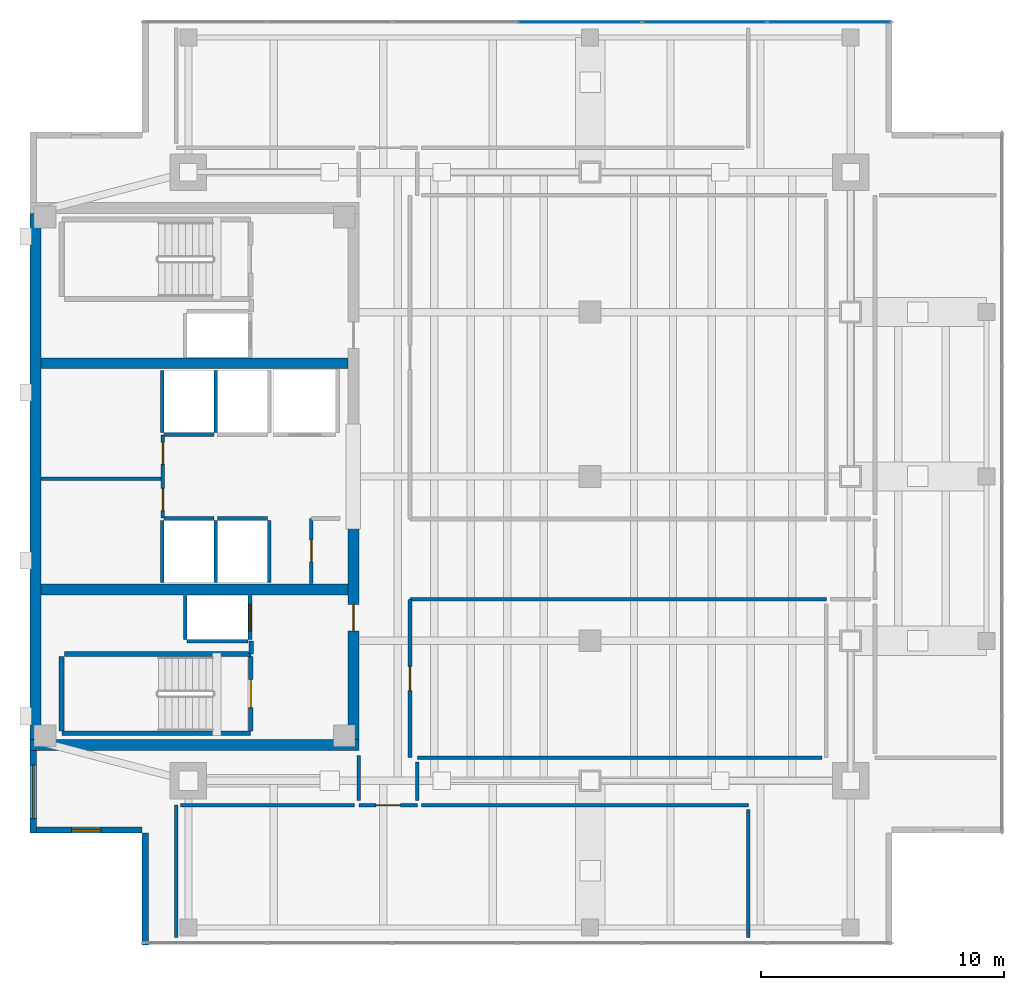
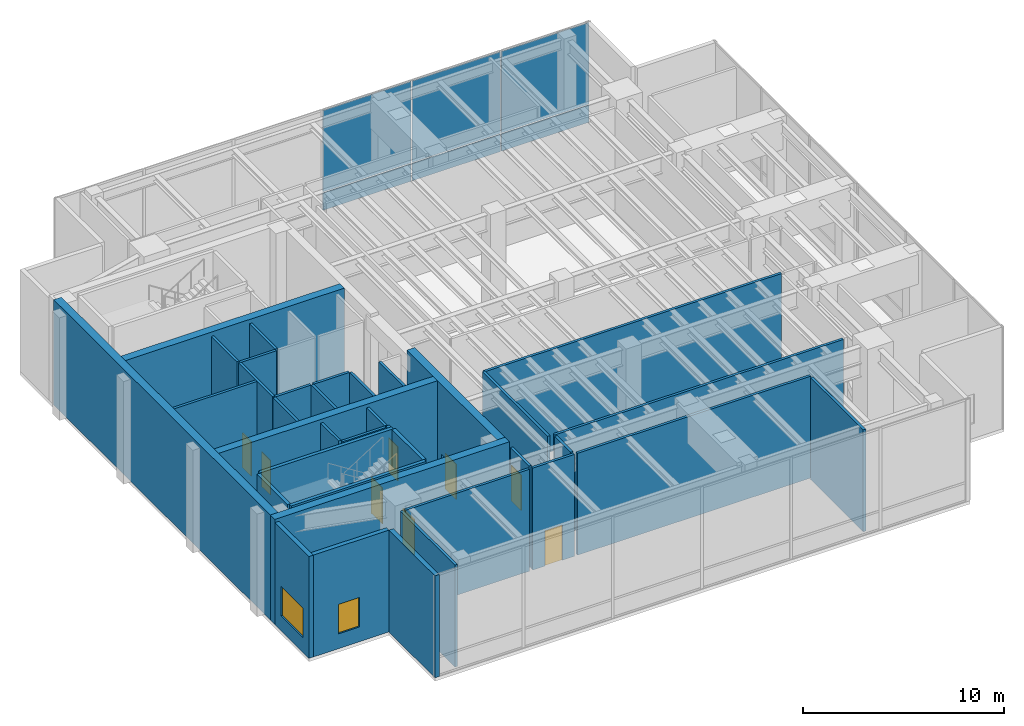
# One storey, part 8 of 11: 37 walls, 8 doors, 6 plates, 2 windows, 10 openings, 1 element without a shape of its own.
"""IFC4 building model written with IfcOpenShell, lengths in metres."""

from ifc_helpers import new_model, si_unit, direction, frame, frame_2d, origin, origin_2d, place, context, subcontext, project, spatial, rectangle, extrude, material, layer, layer_set, type_object, element, fill, aggregate, save


model = new_model("IFC4")

# Units and contexts
model_context = context("Model", 3, precision=1e-05, world=origin(), true_north=direction((0.0, 1.0)))
body_context = subcontext(model_context, "Body", "Model", "MODEL_VIEW")
ifc_project = project(units=[si_unit("LENGTHUNIT", "METRE"), si_unit("AREAUNIT", "SQUARE_METRE"), si_unit("VOLUMEUNIT", "CUBIC_METRE"), si_unit("PLANEANGLEUNIT", "RADIAN"), si_unit("MASSUNIT", "GRAM", prefix="KILO")], contexts=[model_context])

# Site, building, storey
site_placement = place(None, origin())
site = spatial("IfcSite", under=ifc_project, at=site_placement, CompositionType="ELEMENT")
building_placement = place(site_placement, origin())
building = spatial("IfcBuilding", under=site, at=building_placement, Name="Kinhvarn Gate Tower", CompositionType="ELEMENT")
storey_placement = place(building_placement, frame((0.0, 0.0, 296.64990234375)))
storey = spatial("IfcBuildingStorey", under=building, at=storey_placement, Name="L79", CompositionType="ELEMENT", Elevation=296.64990234375)

# Curtain wall, plates
ifc_material_1 = material(Name="Anodised aluminium AW-6063", Category="aluminium")
ifc_layer_1 = layer(ifc_material_1, 0.199951171875)
ifc_layer_set_1 = layer_set([ifc_layer_1], Name="Anodised aluminium AW-6063")
curtain_wall_type = type_object("IfcCurtainWallType", Name="CW-SYS-6", PredefinedType="NOTDEFINED", material=ifc_layer_set_1)
curtain_wall_placement = place(storey_placement, origin())
curtain_wall = element("IfcCurtainWall", 1, at=curtain_wall_placement, inside=storey, type_object=curtain_wall_type, Name="Curtain Wall CW6 (L79)", PredefinedType="NOTDEFINED")
ifc_material_2 = material(Name="Translucent lantern laminated glazing", Category="glass")
ifc_layer_2 = layer(ifc_material_2, 0.035888671875)
ifc_layer_set_2 = layer_set([ifc_layer_2], Name="Translucent lantern laminated glazing")
plate_type = type_object("IfcPlateType", Name="CW-PNL-LAN", PredefinedType="CURTAIN_PANEL", material=ifc_layer_set_2)
plate_1_placement = place(storey_placement, frame((37.317138671875, 43.909912109375, 0.06494140625), z_axis=(0.0, 0.0, 1.0), x_axis=(-1.0, 0.0, 0.0)))
plate_1 = element("IfcPlate", 2, at=plate_1_placement, type_object=plate_type, Name="CW6 panel 1.1", PredefinedType="CURTAIN_PANEL", context=body_context, shape_type="SweptSolid", body=[
    extrude(rectangle(XDim=5.035888671875, YDim=0.035888671875, at=origin_2d()), origin(), (0.0, 0.0, 1.0), 1.052490234375),
])
plate_2_placement = place(storey_placement, frame((37.317138671875, 43.909912109375, 1.1826171875), z_axis=(0.0, 0.0, 1.0), x_axis=(-1.0, 0.0, 0.0)))
plate_2 = element("IfcPlate", 3, at=plate_2_placement, type_object=plate_type, Name="CW6 panel 1.2", PredefinedType="CURTAIN_PANEL", context=body_context, shape_type="SweptSolid", body=[
    extrude(rectangle(XDim=5.035888671875, YDim=0.035888671875, at=origin_2d()), origin(), (0.0, 0.0, 1.0), 4.952392578125),
])
plate_3_placement = place(storey_placement, frame((32.199951171875, 43.909912109375, 0.06494140625), z_axis=(0.0, 0.0, 1.0), x_axis=(-1.0, 0.0, 0.0)))
plate_3 = element("IfcPlate", 4, at=plate_3_placement, type_object=plate_type, Name="CW6 panel 2.1", PredefinedType="CURTAIN_PANEL", context=body_context, shape_type="SweptSolid", body=[
    extrude(rectangle(XDim=5.068359375, YDim=0.035888671875, at=origin_2d()), origin(), (0.0, 0.0, 1.0), 1.052490234375),
])
plate_4_placement = place(storey_placement, frame((32.199951171875, 43.909912109375, 1.1826171875), z_axis=(0.0, 0.0, 1.0), x_axis=(-1.0, 0.0, 0.0)))
plate_4 = element("IfcPlate", 5, at=plate_4_placement, type_object=plate_type, Name="CW6 panel 2.2", PredefinedType="CURTAIN_PANEL", context=body_context, shape_type="SweptSolid", body=[
    extrude(rectangle(XDim=5.068359375, YDim=0.035888671875, at=origin_2d()), origin(), (0.0, 0.0, 1.0), 4.952392578125),
])
plate_5_placement = place(storey_placement, frame((27.066650390625, 43.909912109375, 0.06494140625), z_axis=(0.0, 0.0, 1.0), x_axis=(-1.0, 0.0, 0.0)))
plate_5 = element("IfcPlate", 6, at=plate_5_placement, type_object=plate_type, Name="CW6 panel 3.1", PredefinedType="CURTAIN_PANEL", context=body_context, shape_type="SweptSolid", body=[
    extrude(rectangle(XDim=5.068359375, YDim=0.035888671875, at=origin_2d()), origin(), (0.0, 0.0, 1.0), 1.052490234375),
])
plate_6_placement = place(storey_placement, frame((27.066650390625, 43.909912109375, 1.1826171875), z_axis=(0.0, 0.0, 1.0), x_axis=(-1.0, 0.0, 0.0)))
plate_6 = element("IfcPlate", 7, at=plate_6_placement, type_object=plate_type, Name="CW6 panel 3.2", PredefinedType="CURTAIN_PANEL", context=body_context, shape_type="SweptSolid", body=[
    extrude(rectangle(XDim=5.068359375, YDim=0.035888671875, at=origin_2d()), origin(), (0.0, 0.0, 1.0), 4.952392578125),
])
aggregate(curtain_wall, [plate_1, plate_2, plate_3, plate_4, plate_5, plate_6])

# Wall
ifc_material_3 = material(Name="Concrete C50/60", Category="concrete")
ifc_layer_3 = layer(ifc_material_3, 0.449951171875)
ifc_layer_set_3 = layer_set([ifc_layer_3], Name="Concrete C50/60")
wall_type_1 = type_object("IfcWallType", Name="WL-CORE-450", PredefinedType="SHEAR", material=ifc_layer_set_3)
wall_1_placement = place(storey_placement, frame((4.5, 14.22509765625, 0.0), z_axis=(0.0, 0.0, 1.0), x_axis=(1.0, 0.0, 0.0)))
element("IfcWall", 8, at=wall_1_placement, inside=storey, type_object=wall_type_1, Name="Core South Shear Wall L79 450 mm", PredefinedType="SHEAR", context=body_context, shape_type="SweptSolid", body=[
    extrude(rectangle(XDim=13.5, YDim=0.449951171875, at=frame_2d((6.75, 0.0))), origin(), (0.0, 0.0, 1.0), 6.400146484375),
])

# Wall, opening, door
wall_2_placement = place(storey_placement, frame((17.77490234375, 14.449951171875, 0.0), z_axis=(0.0, 0.0, 1.0), x_axis=(0.0, 1.0, 0.0)))
wall_2 = element("IfcWall", 9, at=wall_2_placement, inside=storey, type_object=wall_type_1, Name="Core East-South Shear Pier L79 450 mm", PredefinedType="SHEAR", context=body_context, shape_type="SweptSolid", body=[
    extrude(rectangle(XDim=9.0, YDim=0.449951171875, at=frame_2d((4.5, 0.0))), origin(), (0.0, 0.0, 1.0), 6.400146484375),
])
opening_1_placement = place(wall_2_placement, frame((4.449951171875, 0.0, 0.0)))
opening_1 = element("IfcOpeningElement", 10, at=opening_1_placement, cuts=wall_2, Name="Opening FD-02", PredefinedType="OPENING", context=body_context, shape_type="SweptSolid", body=[
    extrude(rectangle(XDim=1.10009765625, YDim=2.14990234375, at=frame_2d((0.550048828125, 1.074951171875))), frame((0.0, 0.23486328125, 0.0), z_axis=(0.0, -1.0, 0.0), x_axis=(1.0, 0.0, 0.0)), (0.0, 0.0, 1.0), 0.469970703125),
])
door_type_1 = type_object("IfcDoorType", Name="DR-FD-1100", OperationType="NOTDEFINED", PredefinedType="DOOR", material=ifc_material_1)
door_1_placement = place(opening_1_placement, origin())
door_1 = element("IfcDoor", 11, at=door_1_placement, inside=storey, type_object=door_type_1, Name="Firefighting Lobby Core Door (L79)", OperationType="SINGLE_SWING_RIGHT", OverallHeight=2.14990234375, OverallWidth=1.10009765625, PredefinedType="DOOR", context=body_context, shape_type="SweptSolid", body=[
    extrude(rectangle(XDim=1.10009765625, YDim=2.14990234375, at=frame_2d((0.550048828125, 1.074951171875))), frame((0.0, 0.02490234375, 0.0), z_axis=(0.0, -1.0, 0.0), x_axis=(1.0, 0.0, 0.0)), (0.0, 0.0, 1.0), 0.050048828125),
])
fill(opening_1, door_1)

# Walls
for number, where, z_axis, x_axis, name in (
    (12, (4.949951171875, 20.60009765625, 0.0), (0.0, 0.0, 1.0), (1.0, 0.0, 0.0), "Core South Spine Shear Wall L79 450 mm"),
    (13, (4.949951171875, 29.89990234375, 0.0), (0.0, 0.0, 1.0), (1.0, 0.0, 0.0), "Core North Spine Shear Wall L79 450 mm"),
):
    element("IfcWall", number, at=place(storey_placement, frame(where, z_axis=z_axis, x_axis=x_axis)), inside=storey, type_object=wall_type_1, Name=name, PredefinedType="SHEAR", context=body_context, shape_type="SweptSolid", body=[
        extrude(rectangle(XDim=12.60009765625, YDim=0.449951171875, at=frame_2d((6.300048828125, 0.0))), origin(), (0.0, 0.0, 1.0), 6.400146484375),
    ])
ifc_layer_4 = layer(ifc_material_3, 0.449951171875)
ifc_layer_set_4 = layer_set([ifc_layer_4], Name="Concrete C50/60")
wall_type_2 = type_object("IfcWallType", Name="WL-COREX-450", PredefinedType="SHEAR", material=ifc_layer_set_4)
wall_3_placement = place(storey_placement, frame((4.72509765625, 14.449951171875, 0.0), z_axis=(0.0, 0.0, 1.0), x_axis=(0.0, 1.0, 0.0)))
element("IfcWall", 14, at=wall_3_placement, inside=storey, type_object=wall_type_2, Name="Core West Shear Wall L79 450 mm", PredefinedType="SHEAR", context=body_context, shape_type="SweptSolid", body=[
    extrude(rectangle(XDim=21.60009765625, YDim=0.449951171875, at=frame_2d((10.800048828125, 0.0))), origin(), (0.0, 0.0, 1.0), 6.400146484375),
])

# Wall, opening, window
ifc_material_4 = material(Name="Fired architectural terracotta", Category="masonry")
ifc_layer_5 = layer(ifc_material_4, 0.25)
ifc_layer_set_5 = layer_set([ifc_layer_5], Name="Fired architectural terracotta")
wall_type_3 = type_object("IfcWallType", Name="WL-EXT-250", PredefinedType="SOLIDWALL", material=ifc_layer_set_5)
wall_4_placement = place(storey_placement, frame((4.625, 14.0, 0.0), z_axis=(0.0, 0.0, 1.0), x_axis=(0.0, -1.0, 0.0)))
wall_4 = element("IfcWall", 15, at=wall_4_placement, inside=storey, type_object=wall_type_3, Name="Exterior Solidwall Wall EW-250 (L79 West-South)", PredefinedType="SOLIDWALL", context=body_context, shape_type="SweptSolid", body=[
    extrude(rectangle(XDim=3.39990234375, YDim=0.25, at=frame_2d((1.699951171875, 0.0))), origin(), (0.0, 0.0, 1.0), 6.2001953125),
])
opening_2_placement = place(wall_4_placement, frame((0.60009765625, 0.0, 0.89990234375)))
opening_2 = element("IfcOpeningElement", 16, at=opening_2_placement, cuts=wall_4, Name="Opening WN-01", PredefinedType="OPENING", context=body_context, shape_type="SweptSolid", body=[
    extrude(rectangle(XDim=2.199951171875, YDim=1.800048828125, at=frame_2d((1.10009765625, 0.89990234375))), frame((0.0, 0.135009765625, 0.0), z_axis=(0.0, -1.0, 0.0), x_axis=(1.0, 0.0, 0.0)), (0.0, 0.0, 1.0), 0.27001953125),
])
ifc_material_5 = material(Name="Clear low-e double glazing", Category="glass")
window_type_1 = type_object("IfcWindowType", Name="WIN-RIB-2200", PartitioningType="SINGLE_PANEL", PredefinedType="WINDOW", material=ifc_material_5)
window_1_placement = place(opening_2_placement, origin())
window_1 = element("IfcWindow", 17, at=window_1_placement, inside=storey, type_object=window_type_1, Name="West Flank Double-Glazed Ribbon Window 2200x1800 mm (L79)", OverallHeight=1.800048828125, OverallWidth=2.199951171875, PartitioningType="SINGLE_PANEL", PredefinedType="WINDOW", context=body_context, shape_type="SweptSolid", body=[
    extrude(rectangle(XDim=2.199951171875, YDim=1.800048828125, at=frame_2d((1.10009765625, 0.89990234375))), frame((0.0, 0.030029296875, 0.0), z_axis=(0.0, -1.0, 0.0), x_axis=(1.0, 0.0, 0.0)), (0.0, 0.0, 1.0), 0.06005859375),
])
fill(opening_2, window_1)

wall_5_placement = place(storey_placement, frame((4.5, 10.72509765625, 0.0), z_axis=(0.0, 0.0, 1.0), x_axis=(1.0, 0.0, 0.0)))
wall_5 = element("IfcWall", 18, at=wall_5_placement, inside=storey, type_object=wall_type_3, Name="Exterior Solidwall Wall EW-250 (L79 SW-Notch-1)", PredefinedType="SOLIDWALL", context=body_context, shape_type="SweptSolid", body=[
    extrude(rectangle(XDim=4.60009765625, YDim=0.25, at=frame_2d((2.300048828125, 0.0))), origin(), (0.0, 0.0, 1.0), 6.2001953125),
])
opening_3_placement = place(wall_5_placement, frame((1.699951171875, 0.0, 0.89990234375)))
opening_3 = element("IfcOpeningElement", 19, at=opening_3_placement, cuts=wall_5, Name="Opening WN-02", PredefinedType="OPENING", context=body_context, shape_type="SweptSolid", body=[
    extrude(rectangle(XDim=1.199951171875, YDim=1.800048828125, at=frame_2d((0.60009765625, 0.89990234375))), frame((0.0, 0.135009765625, 0.0), z_axis=(0.0, -1.0, 0.0), x_axis=(1.0, 0.0, 0.0)), (0.0, 0.0, 1.0), 0.27001953125),
])
window_type_2 = type_object("IfcWindowType", Name="WIN-NTC-1200", PartitioningType="SINGLE_PANEL", PredefinedType="WINDOW", material=ifc_material_5)
window_2_placement = place(opening_3_placement, origin())
window_2 = element("IfcWindow", 20, at=window_2_placement, inside=storey, type_object=window_type_2, Name="Recessed Corner Notch Punched Window 1200x1800 mm (L79)", OverallHeight=1.800048828125, OverallWidth=1.199951171875, PartitioningType="SINGLE_PANEL", PredefinedType="WINDOW", context=body_context, shape_type="SweptSolid", body=[
    extrude(rectangle(XDim=1.199951171875, YDim=1.800048828125, at=frame_2d((0.60009765625, 0.89990234375))), frame((0.0, 0.030029296875, 0.0), z_axis=(0.0, -1.0, 0.0), x_axis=(1.0, 0.0, 0.0)), (0.0, 0.0, 1.0), 0.06005859375),
])
fill(opening_3, window_2)

# Walls
wall_6_placement = place(storey_placement, frame((9.22509765625, 10.60009765625, 0.0), z_axis=(0.0, 0.0, 1.0), x_axis=(0.0, -1.0, 0.0)))
element("IfcWall", 21, at=wall_6_placement, inside=storey, type_object=wall_type_3, Name="Exterior Solidwall Wall EW-250 (L79 SW-Notch-2)", PredefinedType="SOLIDWALL", context=body_context, shape_type="SweptSolid", body=[
    extrude(rectangle(XDim=4.60009765625, YDim=0.25, at=frame_2d((2.300048828125, 0.0))), origin(), (0.0, 0.0, 1.0), 6.2001953125),
])
ifc_material_6 = material(Name="Gypsum acoustic partition board")
ifc_layer_6 = layer(ifc_material_6, 0.14990234375)
ifc_layer_set_6 = layer_set([ifc_layer_6], Name="Gypsum acoustic partition board")
wall_type_4 = type_object("IfcWallType", Name="WL-PRT-150F", PredefinedType="PARTITIONING", material=ifc_layer_set_6)
wall_7_placement = place(storey_placement, frame((4.949951171875, 25.14990234375, 0.0), z_axis=(0.0, 0.0, 1.0), x_axis=(1.0, 0.0, 0.0)))
element("IfcWall", 22, at=wall_7_placement, inside=storey, type_object=wall_type_4, Name="Interior Partition PW-150F (L79)", PredefinedType="PARTITIONING", context=body_context, shape_type="SweptSolid", body=[
    extrude(rectangle(XDim=5.0, YDim=0.14990234375, at=frame_2d((2.5, 0.0))), origin(), (0.0, 0.0, 1.0), 6.2001953125),
])

# Wall, openings, doors
wall_8_placement = place(storey_placement, frame((9.949951171875, 23.550048828125, 0.0), z_axis=(0.0, 0.0, 1.0), x_axis=(0.0, 1.0, 0.0)))
wall_8 = element("IfcWall", 23, at=wall_8_placement, inside=storey, type_object=wall_type_4, Name="Interior Partition PW-150F (L79)", PredefinedType="PARTITIONING", context=body_context, shape_type="SweptSolid", body=[
    extrude(rectangle(XDim=3.39990234375, YDim=0.14990234375, at=frame_2d((1.699951171875, 0.0))), origin(), (0.0, 0.0, 1.0), 6.2001953125),
])
opening_4_placement = place(wall_8_placement, frame((0.298095703125, 0.0, 0.0)))
opening_4 = element("IfcOpeningElement", 24, at=opening_4_placement, cuts=wall_8, Name="Opening FD-04", PredefinedType="OPENING", context=body_context, shape_type="SweptSolid", body=[
    extrude(rectangle(XDim=0.89990234375, YDim=2.10009765625, at=frame_2d((0.449951171875, 1.050048828125))), frame((0.0, 0.0849609375, 0.0), z_axis=(0.0, -1.0, 0.0), x_axis=(1.0, 0.0, 0.0)), (0.0, 0.0, 1.0), 0.169921875),
])
opening_5_placement = place(wall_8_placement, frame((2.201904296875, 0.0, 0.0)))
opening_5 = element("IfcOpeningElement", 25, at=opening_5_placement, cuts=wall_8, Name="Opening FD-04", PredefinedType="OPENING", context=body_context, shape_type="SweptSolid", body=[
    extrude(rectangle(XDim=0.89990234375, YDim=2.10009765625, at=frame_2d((0.449951171875, 1.050048828125))), frame((0.0, 0.0849609375, 0.0), z_axis=(0.0, -1.0, 0.0), x_axis=(1.0, 0.0, 0.0)), (0.0, 0.0, 1.0), 0.169921875),
])
door_type_2 = type_object("IfcDoorType", Name="DR-FD-900", OperationType="NOTDEFINED", PredefinedType="DOOR", material=ifc_material_1)
door_2_placement = place(opening_4_placement, origin())
door_2 = element("IfcDoor", 26, at=door_2_placement, inside=storey, type_object=door_type_2, Name="Rated Riser & Service Closet Fire Door 900x2100 mm (L79)", OperationType="SINGLE_SWING_LEFT", OverallHeight=2.10009765625, OverallWidth=0.89990234375, PredefinedType="DOOR", context=body_context, shape_type="SweptSolid", body=[
    extrude(rectangle(XDim=0.89990234375, YDim=2.10009765625, at=frame_2d((0.449951171875, 1.050048828125))), frame((0.0, 0.02490234375, 0.0), z_axis=(0.0, -1.0, 0.0), x_axis=(1.0, 0.0, 0.0)), (0.0, 0.0, 1.0), 0.050048828125),
])
fill(opening_4, door_2)
door_3_placement = place(opening_5_placement, origin())
door_3 = element("IfcDoor", 27, at=door_3_placement, inside=storey, type_object=door_type_2, Name="Rated Riser & Service Closet Fire Door 900x2100 mm (L79)", OperationType="SINGLE_SWING_RIGHT", OverallHeight=2.10009765625, OverallWidth=0.89990234375, PredefinedType="DOOR", context=body_context, shape_type="SweptSolid", body=[
    extrude(rectangle(XDim=0.89990234375, YDim=2.10009765625, at=frame_2d((0.449951171875, 1.050048828125))), frame((0.0, 0.02490234375, 0.0), z_axis=(0.0, -1.0, 0.0), x_axis=(1.0, 0.0, 0.0)), (0.0, 0.0, 1.0), 0.050048828125),
])
fill(opening_5, door_3)

# Wall, opening, door
wall_9_placement = place(storey_placement, frame((16.050048828125, 20.85009765625, 0.0), z_axis=(0.0, 0.0, 1.0), x_axis=(0.0, 1.0, 0.0)))
wall_9 = element("IfcWall", 28, at=wall_9_placement, inside=storey, type_object=wall_type_4, Name="Interior Partition PW-150F (L79)", PredefinedType="PARTITIONING", context=body_context, shape_type="SweptSolid", body=[
    extrude(rectangle(XDim=2.669921875, YDim=0.14990234375, at=frame_2d((1.3349609375, 0.0))), origin(), (0.0, 0.0, 1.0), 6.2001953125),
])
opening_6_placement = place(wall_9_placement, frame((0.885009765625, 0.0, 0.0)))
opening_6 = element("IfcOpeningElement", 29, at=opening_6_placement, cuts=wall_9, Name="Opening FD-04", PredefinedType="OPENING", context=body_context, shape_type="SweptSolid", body=[
    extrude(rectangle(XDim=0.89990234375, YDim=2.10009765625, at=frame_2d((0.449951171875, 1.050048828125))), frame((0.0, 0.0849609375, 0.0), z_axis=(0.0, -1.0, 0.0), x_axis=(1.0, 0.0, 0.0)), (0.0, 0.0, 1.0), 0.169921875),
])
door_4_placement = place(opening_6_placement, origin())
door_4 = element("IfcDoor", 30, at=door_4_placement, inside=storey, type_object=door_type_2, Name="Rated Riser & Service Closet Fire Door 900x2100 mm (L79)", OperationType="SINGLE_SWING_LEFT", OverallHeight=2.10009765625, OverallWidth=0.89990234375, PredefinedType="DOOR", context=body_context, shape_type="SweptSolid", body=[
    extrude(rectangle(XDim=0.89990234375, YDim=2.10009765625, at=frame_2d((0.449951171875, 1.050048828125))), frame((0.0, 0.02490234375, 0.0), z_axis=(0.0, -1.0, 0.0), x_axis=(1.0, 0.0, 0.0)), (0.0, 0.0, 1.0), 0.050048828125),
])
fill(opening_6, door_4)

wall_10_placement = place(storey_placement, frame((20.10009765625, 13.699951171875, 0.0), z_axis=(0.0, 0.0, 1.0), x_axis=(0.0, 1.0, 0.0)))
wall_10 = element("IfcWall", 31, at=wall_10_placement, inside=storey, type_object=wall_type_4, Name="Interior Partition PW-150F (L79)", PredefinedType="PARTITIONING", context=body_context, shape_type="SweptSolid", body=[
    extrude(rectangle(XDim=6.5, YDim=0.14990234375, at=frame_2d((3.25, 0.0))), origin(), (0.0, 0.0, 1.0), 6.2001953125),
])
opening_7_placement = place(wall_10_placement, frame((2.75, 0.0, 0.0)))
opening_7 = element("IfcOpeningElement", 32, at=opening_7_placement, cuts=wall_10, Name="Opening FD-03", PredefinedType="OPENING", context=body_context, shape_type="SweptSolid", body=[
    extrude(rectangle(XDim=1.0, YDim=2.14990234375, at=frame_2d((0.5, 1.074951171875))), frame((0.0, 0.0849609375, 0.0), z_axis=(0.0, -1.0, 0.0), x_axis=(1.0, 0.0, 0.0)), (0.0, 0.0, 1.0), 0.169921875),
])
door_type_3 = type_object("IfcDoorType", Name="DR-FD-1000", OperationType="NOTDEFINED", PredefinedType="DOOR", material=ifc_material_1)
door_5_placement = place(opening_7_placement, origin())
door_5 = element("IfcDoor", 33, at=door_5_placement, inside=storey, type_object=door_type_3, Name="Rated Plant & Corridor Fire Door 1000x2150 mm (L79)", OperationType="SINGLE_SWING_RIGHT", OverallHeight=2.14990234375, OverallWidth=1.0, PredefinedType="DOOR", context=body_context, shape_type="SweptSolid", body=[
    extrude(rectangle(XDim=1.0, YDim=2.14990234375, at=frame_2d((0.5, 1.074951171875))), frame((0.0, 0.02490234375, 0.0), z_axis=(0.0, -1.0, 0.0), x_axis=(1.0, 0.0, 0.0)), (0.0, 0.0, 1.0), 0.050048828125),
])
fill(opening_7, door_5)

wall_11_placement = place(storey_placement, frame((18.0, 11.75, 0.0), z_axis=(0.0, 0.0, 1.0), x_axis=(1.0, 0.0, 0.0)))
wall_11 = element("IfcWall", 34, at=wall_11_placement, inside=storey, type_object=wall_type_4, Name="Interior Partition PW-150F (L79)", PredefinedType="PARTITIONING", context=body_context, shape_type="SweptSolid", body=[
    extrude(rectangle(XDim=2.39990234375, YDim=0.14990234375, at=frame_2d((1.199951171875, 0.0))), origin(), (0.0, 0.0, 1.0), 6.2001953125),
])
opening_8_placement = place(wall_11_placement, frame((0.699951171875, 0.0, 0.0)))
opening_8 = element("IfcOpeningElement", 35, at=opening_8_placement, cuts=wall_11, Name="Opening FD-03", PredefinedType="OPENING", context=body_context, shape_type="SweptSolid", body=[
    extrude(rectangle(XDim=1.0, YDim=2.14990234375, at=frame_2d((0.5, 1.074951171875))), frame((0.0, 0.0849609375, 0.0), z_axis=(0.0, -1.0, 0.0), x_axis=(1.0, 0.0, 0.0)), (0.0, 0.0, 1.0), 0.169921875),
])
door_6_placement = place(opening_8_placement, origin())
door_6 = element("IfcDoor", 36, at=door_6_placement, inside=storey, type_object=door_type_3, Name="Rated Plant & Corridor Fire Door 1000x2150 mm (L79)", OperationType="SINGLE_SWING_RIGHT", OverallHeight=2.14990234375, OverallWidth=1.0, PredefinedType="DOOR", context=body_context, shape_type="SweptSolid", body=[
    extrude(rectangle(XDim=1.0, YDim=2.14990234375, at=frame_2d((0.5, 1.074951171875))), frame((0.0, 0.02490234375, 0.0), z_axis=(0.0, -1.0, 0.0), x_axis=(1.0, 0.0, 0.0)), (0.0, 0.0, 1.0), 0.050048828125),
])
fill(opening_8, door_6)

# Walls
wall_12_placement = place(storey_placement, frame((20.10009765625, 20.199951171875, 0.0), z_axis=(0.0, 0.0, 1.0), x_axis=(1.0, 0.0, 0.0)))
element("IfcWall", 37, at=wall_12_placement, inside=storey, type_object=wall_type_4, Name="Interior Partition PW-150F (L79)", PredefinedType="PARTITIONING", context=body_context, shape_type="SweptSolid", body=[
    extrude(rectangle(XDim=17.099853515625, YDim=0.14990234375, at=frame_2d((8.5498046875, 0.0))), origin(), (0.0, 0.0, 1.0), 6.2001953125),
])
wall_13_placement = place(storey_placement, frame((37.02001953125, 13.699951171875, 0.0), z_axis=(0.0, 0.0, 1.0), x_axis=(-1.0, 0.0, 0.0)))
element("IfcWall", 38, at=wall_13_placement, inside=storey, type_object=wall_type_4, Name="Interior Partition PW-150F (L79)", PredefinedType="PARTITIONING", context=body_context, shape_type="SweptSolid", body=[
    extrude(rectangle(XDim=16.6201171875, YDim=0.14990234375, at=frame_2d((8.31005859375, 0.0))), origin(), (0.0, 0.0, 1.0), 6.2001953125),
])
wall_14_placement = place(storey_placement, frame((20.39990234375, 13.52001953125, 0.0), z_axis=(0.0, 0.0, 1.0), x_axis=(0.0, -1.0, 0.0)))
element("IfcWall", 39, at=wall_14_placement, inside=storey, type_object=wall_type_4, Name="Interior Partition PW-150F (L79)", PredefinedType="PARTITIONING", context=body_context, shape_type="SweptSolid", body=[
    extrude(rectangle(XDim=1.590087890625, YDim=0.14990234375, at=frame_2d((0.794921875, 0.0))), origin(), (0.0, 0.0, 1.0), 6.2001953125),
])
wall_15_placement = place(storey_placement, frame((20.580078125, 11.75, 0.0), z_axis=(0.0, 0.0, 1.0), x_axis=(1.0, 0.0, 0.0)))
element("IfcWall", 40, at=wall_15_placement, inside=storey, type_object=wall_type_4, Name="Interior Partition PW-150F (L79)", PredefinedType="PARTITIONING", context=body_context, shape_type="SweptSolid", body=[
    extrude(rectangle(XDim=13.419921875, YDim=0.14990234375, at=frame_2d((6.7099609375, 0.0))), origin(), (0.0, 0.0, 1.0), 6.2001953125),
])
wall_16_placement = place(storey_placement, frame((34.0, 11.570068359375, 0.0), z_axis=(0.0, 0.0, 1.0), x_axis=(0.0, -1.0, 0.0)))
element("IfcWall", 41, at=wall_16_placement, inside=storey, type_object=wall_type_4, Name="Interior Partition PW-150F (L79)", PredefinedType="PARTITIONING", context=body_context, shape_type="SweptSolid", body=[
    extrude(rectangle(XDim=5.25, YDim=0.14990234375, at=frame_2d((2.625, 0.0))), origin(), (0.0, 0.0, 1.0), 6.2001953125),
])
wall_17_placement = place(storey_placement, frame((10.5, 6.320068359375, 0.0), z_axis=(0.0, 0.0, 1.0), x_axis=(0.0, 1.0, 0.0)))
element("IfcWall", 42, at=wall_17_placement, inside=storey, type_object=wall_type_4, Name="Interior Partition PW-150F (L79)", PredefinedType="PARTITIONING", context=body_context, shape_type="SweptSolid", body=[
    extrude(rectangle(XDim=5.429931640625, YDim=0.14990234375, at=frame_2d((2.71484375, 0.0))), origin(), (0.0, 0.0, 1.0), 6.2001953125),
])
wall_18_placement = place(storey_placement, frame((10.679931640625, 11.75, 0.0), z_axis=(0.0, 0.0, 1.0), x_axis=(1.0, 0.0, 0.0)))
element("IfcWall", 43, at=wall_18_placement, inside=storey, type_object=wall_type_4, Name="Interior Partition PW-150F (L79)", PredefinedType="PARTITIONING", context=body_context, shape_type="SweptSolid", body=[
    extrude(rectangle(XDim=7.14013671875, YDim=0.14990234375, at=frame_2d((3.570068359375, 0.0))), origin(), (0.0, 0.0, 1.0), 6.2001953125),
])
wall_19_placement = place(storey_placement, frame((18.0, 11.929931640625, 0.0), z_axis=(0.0, 0.0, 1.0), x_axis=(0.0, 1.0, 0.0)))
element("IfcWall", 44, at=wall_19_placement, inside=storey, type_object=wall_type_4, Name="Interior Partition PW-150F (L79)", PredefinedType="PARTITIONING", context=body_context, shape_type="SweptSolid", body=[
    extrude(rectangle(XDim=1.85009765625, YDim=0.14990234375, at=frame_2d((0.925048828125, 0.0))), origin(), (0.0, 0.0, 1.0), 6.2001953125),
])
ifc_layer_7 = layer(ifc_material_6, 0.199951171875)
ifc_layer_set_7 = layer_set([ifc_layer_7], Name="Gypsum acoustic partition board")
wall_type_5 = type_object("IfcWallType", Name="WL-PRT-200", PredefinedType="PARTITIONING", material=ifc_layer_set_7)
wall_20_placement = place(storey_placement, frame((13.580078125, 17.9599609375, 0.0), z_axis=(0.0, 0.0, 1.0), x_axis=(0.0, 1.0, 0.0)))
element("IfcWall", 45, at=wall_20_placement, inside=storey, type_object=wall_type_5, Name="Interior Partition PW-200 (L79)", PredefinedType="PARTITIONING", context=body_context, shape_type="SweptSolid", body=[
    extrude(rectangle(XDim=0.5400390625, YDim=0.199951171875, at=frame_2d((0.27001953125, 0.0))), origin(), (0.0, 0.0, 1.0), 6.2001953125),
])
ifc_layer_8 = layer(ifc_material_6, 0.14990234375)
ifc_layer_set_8 = layer_set([ifc_layer_8], Name="Gypsum acoustic partition board")
wall_type_6 = type_object("IfcWallType", Name="WL-SHF-150", PredefinedType="PARTITIONING", material=ifc_layer_set_8)
wall_21_placement = place(storey_placement, frame((10.0, 23.52490234375, 0.0), z_axis=(0.0, 0.0, 1.0), x_axis=(1.0, 0.0, 0.0)))
element("IfcWall", 46, at=wall_21_placement, inside=storey, type_object=wall_type_6, Name="Elevator PH-09 Landing Wall (L79)", PredefinedType="PARTITIONING", context=body_context, shape_type="SweptSolid", body=[
    extrude(rectangle(XDim=2.050048828125, YDim=0.14990234375, at=frame_2d((1.02490234375, 0.0))), origin(), (0.0, 0.0, 1.0), 6.2001953125),
])
for number, where, z_axis, x_axis, name in (
    (47, (9.925048828125, 20.89990234375, 0.0), (0.0, 0.0, 1.0), (0.0, 1.0, 0.0), "Elevator PH-09 Hoistway Wall W (L79)"),
    (48, (12.125, 20.89990234375, 0.0), (0.0, 0.0, 1.0), (0.0, 1.0, 0.0), "Elevator PH-09 Hoistway Wall E (L79)"),
):
    element("IfcWall", number, at=place(storey_placement, frame(where, z_axis=z_axis, x_axis=x_axis)), inside=storey, type_object=wall_type_6, Name=name, PredefinedType="PARTITIONING", context=body_context, shape_type="SweptSolid", body=[
        extrude(rectangle(XDim=2.550048828125, YDim=0.14990234375, at=frame_2d((1.27490234375, 0.0))), origin(), (0.0, 0.0, 1.0), 6.2001953125),
    ])
wall_22_placement = place(storey_placement, frame((12.199951171875, 23.52490234375, 0.0), z_axis=(0.0, 0.0, 1.0), x_axis=(1.0, 0.0, 0.0)))
element("IfcWall", 49, at=wall_22_placement, inside=storey, type_object=wall_type_6, Name="Elevator PH-10 Landing Wall (L79)", PredefinedType="PARTITIONING", context=body_context, shape_type="SweptSolid", body=[
    extrude(rectangle(XDim=2.050048828125, YDim=0.14990234375, at=frame_2d((1.02490234375, 0.0))), origin(), (0.0, 0.0, 1.0), 6.2001953125),
])
wall_23_placement = place(storey_placement, frame((14.324951171875, 20.89990234375, 0.0), z_axis=(0.0, 0.0, 1.0), x_axis=(0.0, 1.0, 0.0)))
element("IfcWall", 50, at=wall_23_placement, inside=storey, type_object=wall_type_6, Name="Elevator PH-10 Hoistway Wall E (L79)", PredefinedType="PARTITIONING", context=body_context, shape_type="SweptSolid", body=[
    extrude(rectangle(XDim=2.550048828125, YDim=0.14990234375, at=frame_2d((1.27490234375, 0.0))), origin(), (0.0, 0.0, 1.0), 6.2001953125),
])
wall_24_placement = place(storey_placement, frame((10.0, 26.97509765625, 0.0), z_axis=(0.0, 0.0, 1.0), x_axis=(1.0, 0.0, 0.0)))
element("IfcWall", 51, at=wall_24_placement, inside=storey, type_object=wall_type_6, Name="Elevator PH-11 Landing Wall (L79)", PredefinedType="PARTITIONING", context=body_context, shape_type="SweptSolid", body=[
    extrude(rectangle(XDim=2.050048828125, YDim=0.14990234375, at=frame_2d((1.02490234375, 0.0))), origin(), (0.0, 0.0, 1.0), 6.2001953125),
])
for number, where, z_axis, x_axis, name in (
    (52, (9.925048828125, 27.050048828125, 0.0), (0.0, 0.0, 1.0), (0.0, 1.0, 0.0), "Elevator PH-11 Hoistway Wall W (L79)"),
    (53, (12.125, 27.050048828125, 0.0), (0.0, 0.0, 1.0), (0.0, 1.0, 0.0), "Elevator PH-11 Hoistway Wall E (L79)"),
):
    element("IfcWall", number, at=place(storey_placement, frame(where, z_axis=z_axis, x_axis=x_axis)), inside=storey, type_object=wall_type_6, Name=name, PredefinedType="PARTITIONING", context=body_context, shape_type="SweptSolid", body=[
        extrude(rectangle(XDim=2.550048828125, YDim=0.14990234375, at=frame_2d((1.27490234375, 0.0))), origin(), (0.0, 0.0, 1.0), 6.2001953125),
    ])
wall_25_placement = place(storey_placement, frame((10.949951171875, 18.47509765625, 0.0), z_axis=(0.0, 0.0, 1.0), x_axis=(1.0, 0.0, 0.0)))
element("IfcWall", 54, at=wall_25_placement, inside=storey, type_object=wall_type_6, Name="Elevator FF1 Hoistway Wall S (L79)", PredefinedType="PARTITIONING", context=body_context, shape_type="SweptSolid", body=[
    extrude(rectangle(XDim=2.5, YDim=0.14990234375, at=frame_2d((1.25, 0.0))), origin(), (0.0, 0.0, 1.0), 6.2001953125),
])
wall_26_placement = place(storey_placement, frame((10.875, 18.550048828125, 0.0), z_axis=(0.0, 0.0, 1.0), x_axis=(0.0, 1.0, 0.0)))
element("IfcWall", 55, at=wall_26_placement, inside=storey, type_object=wall_type_6, Name="Elevator FF1 Hoistway Wall W (L79)", PredefinedType="PARTITIONING", context=body_context, shape_type="SweptSolid", body=[
    extrude(rectangle(XDim=1.800048828125, YDim=0.14990234375, at=frame_2d((0.89990234375, 0.0))), origin(), (0.0, 0.0, 1.0), 6.2001953125),
])

# Wall, opening, door
wall_27_placement = place(storey_placement, frame((13.52490234375, 18.550048828125, 0.0), z_axis=(0.0, 0.0, 1.0), x_axis=(0.0, 1.0, 0.0)))
wall_27 = element("IfcWall", 56, at=wall_27_placement, inside=storey, type_object=wall_type_6, Name="Elevator FF1 Landing Wall (L79)", PredefinedType="PARTITIONING", context=body_context, shape_type="SweptSolid", body=[
    extrude(rectangle(XDim=1.800048828125, YDim=0.14990234375, at=frame_2d((0.89990234375, 0.0))), origin(), (0.0, 0.0, 1.0), 6.2001953125),
])
opening_9_placement = place(wall_27_placement, frame((0.35009765625, 0.0, 0.0)))
opening_9 = element("IfcOpeningElement", 57, at=opening_9_placement, cuts=wall_27, Name="Opening LD-03", PredefinedType="OPENING", context=body_context, shape_type="SweptSolid", body=[
    extrude(rectangle(XDim=1.10009765625, YDim=2.199951171875, at=frame_2d((0.550048828125, 1.10009765625))), frame((0.0, 0.0849609375, 0.0), z_axis=(0.0, -1.0, 0.0), x_axis=(1.0, 0.0, 0.0)), (0.0, 0.0, 1.0), 0.169921875),
])
door_type_4 = type_object("IfcDoorType", Name="DR-LND-FF", OperationType="NOTDEFINED", PredefinedType="DOOR", material=ifc_material_1)
door_7_placement = place(opening_9_placement, origin())
door_7 = element("IfcDoor", 58, at=door_7_placement, inside=storey, type_object=door_type_4, Name="Elevator FF1 Sliding Landing Door (L79)", OperationType="DOUBLE_DOOR_SLIDING", OverallHeight=2.199951171875, OverallWidth=1.10009765625, PredefinedType="DOOR", context=body_context, shape_type="SweptSolid", body=[
    extrude(rectangle(XDim=1.10009765625, YDim=2.199951171875, at=frame_2d((0.550048828125, 1.10009765625))), frame((0.0, 0.02490234375, 0.0), z_axis=(0.0, -1.0, 0.0), x_axis=(1.0, 0.0, 0.0)), (0.0, 0.0, 1.0), 0.050048828125),
])
fill(opening_9, door_7)

# Walls
ifc_material_7 = material(Name="Concrete C40/50", Category="concrete")
ifc_layer_9 = layer(ifc_material_7, 0.199951171875)
ifc_layer_set_9 = layer_set([ifc_layer_9], Name="Concrete C40/50")
wall_type_7 = type_object("IfcWallType", Name="WL-SHF-200", PredefinedType="SOLIDWALL", material=ifc_layer_set_9)
wall_28_placement = place(storey_placement, frame((5.800048828125, 14.699951171875, 0.0), z_axis=(0.0, 0.0, 1.0), x_axis=(1.0, 0.0, 0.0)))
element("IfcWall", 59, at=wall_28_placement, inside=storey, type_object=wall_type_7, Name="Stair ST1 South Shaft Wall (L79)", PredefinedType="SOLIDWALL", context=body_context, shape_type="SweptSolid", body=[
    extrude(rectangle(XDim=7.75, YDim=0.199951171875, at=frame_2d((3.875, 0.0))), origin(), (0.0, 0.0, 1.0), 6.400146484375),
])
wall_29_placement = place(storey_placement, frame((5.7900390625, 14.800048828125, 0.0), z_axis=(0.0, 0.0, 1.0), x_axis=(0.0, 1.0, 0.0)))
element("IfcWall", 60, at=wall_29_placement, inside=storey, type_object=wall_type_7, Name="Stair ST1 West Shaft Wall (L79)", PredefinedType="SOLIDWALL", context=body_context, shape_type="SweptSolid", body=[
    extrude(rectangle(XDim=3.050048828125, YDim=0.199951171875, at=frame_2d((1.52490234375, 0.0))), origin(), (0.0, 0.0, 1.0), 6.400146484375),
])
wall_30_placement = place(storey_placement, frame((5.89990234375, 17.9599609375, 0.0), z_axis=(0.0, 0.0, 1.0), x_axis=(1.0, 0.0, 0.0)))
element("IfcWall", 61, at=wall_30_placement, inside=storey, type_object=wall_type_7, Name="Stair ST1 North Shaft Wall (L79)", PredefinedType="SOLIDWALL", context=body_context, shape_type="SweptSolid", body=[
    extrude(rectangle(XDim=7.66015625, YDim=0.199951171875, at=frame_2d((3.830078125, 0.0))), origin(), (0.0, 0.0, 1.0), 6.400146484375),
])

# Wall, opening, door
wall_31_placement = place(storey_placement, frame((13.56005859375, 14.800048828125, 0.0), z_axis=(0.0, 0.0, 1.0), x_axis=(0.0, 1.0, 0.0)))
wall_31 = element("IfcWall", 62, at=wall_31_placement, inside=storey, type_object=wall_type_7, Name="Stair ST1 East Entry Wall (L79)", PredefinedType="SOLIDWALL", context=body_context, shape_type="SweptSolid", body=[
    extrude(rectangle(XDim=3.050048828125, YDim=0.199951171875, at=frame_2d((1.52490234375, 0.0))), origin(), (0.0, 0.0, 1.0), 6.400146484375),
])
opening_10_placement = place(wall_31_placement, frame((0.949951171875, 0.0, 0.0)))
opening_10 = element("IfcOpeningElement", 63, at=opening_10_placement, cuts=wall_31, Name="Opening FD-01", PredefinedType="OPENING", context=body_context, shape_type="SweptSolid", body=[
    extrude(rectangle(XDim=1.14990234375, YDim=2.14990234375, at=frame_2d((0.574951171875, 1.074951171875))), frame((0.0, 0.10986328125, 0.0), z_axis=(0.0, -1.0, 0.0), x_axis=(1.0, 0.0, 0.0)), (0.0, 0.0, 1.0), 0.219970703125),
])
door_type_5 = type_object("IfcDoorType", Name="DR-ST-1150", OperationType="NOTDEFINED", PredefinedType="DOOR", material=ifc_material_1)
door_8_placement = place(opening_10_placement, origin())
door_8 = element("IfcDoor", 64, at=door_8_placement, inside=storey, type_object=door_type_5, Name="Exit Stair ST1 Fire Door (L79)", OperationType="SINGLE_SWING_LEFT", OverallHeight=2.14990234375, OverallWidth=1.14990234375, PredefinedType="DOOR", context=body_context, shape_type="SweptSolid", body=[
    extrude(rectangle(XDim=1.14990234375, YDim=2.14990234375, at=frame_2d((0.574951171875, 1.074951171875))), frame((0.0, 0.02490234375, 0.0), z_axis=(0.0, -1.0, 0.0), x_axis=(1.0, 0.0, 0.0)), (0.0, 0.0, 1.0), 0.050048828125),
])
fill(opening_10, door_8)

save(model, "model.ifc")
